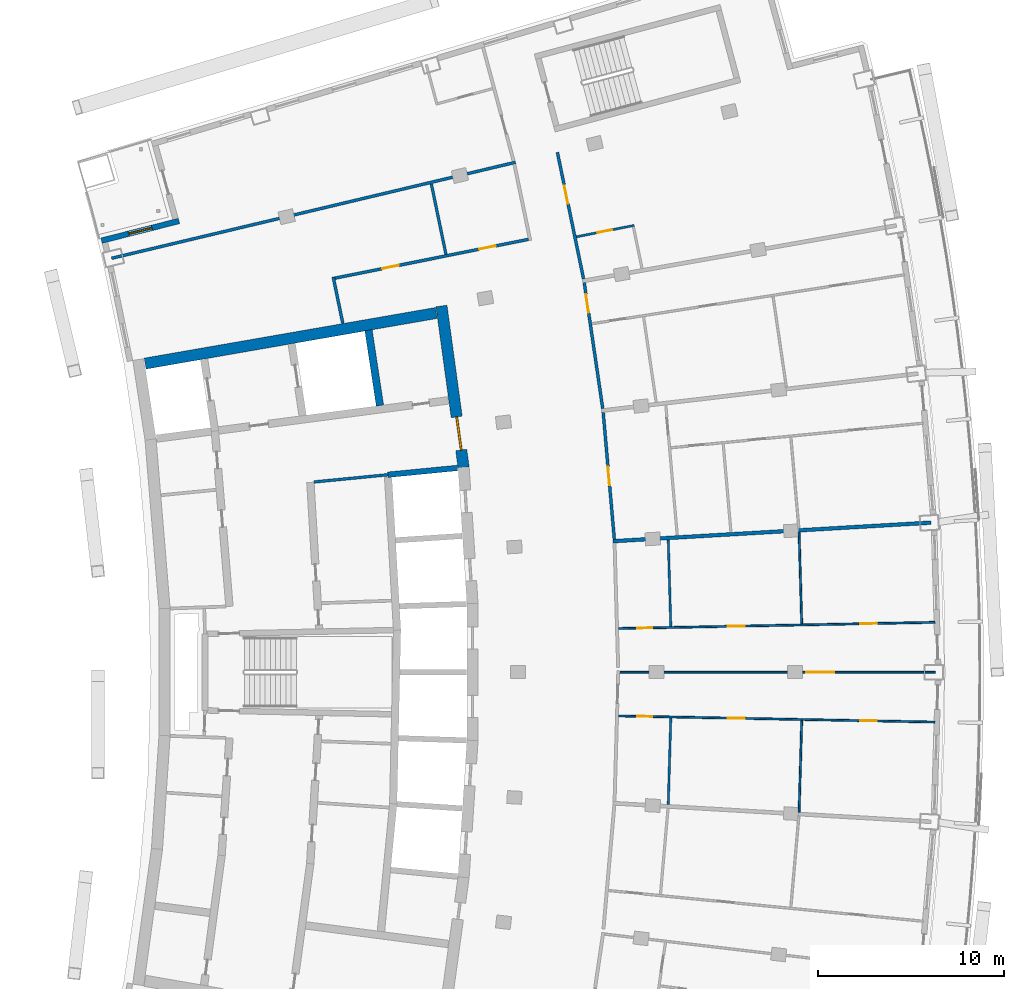
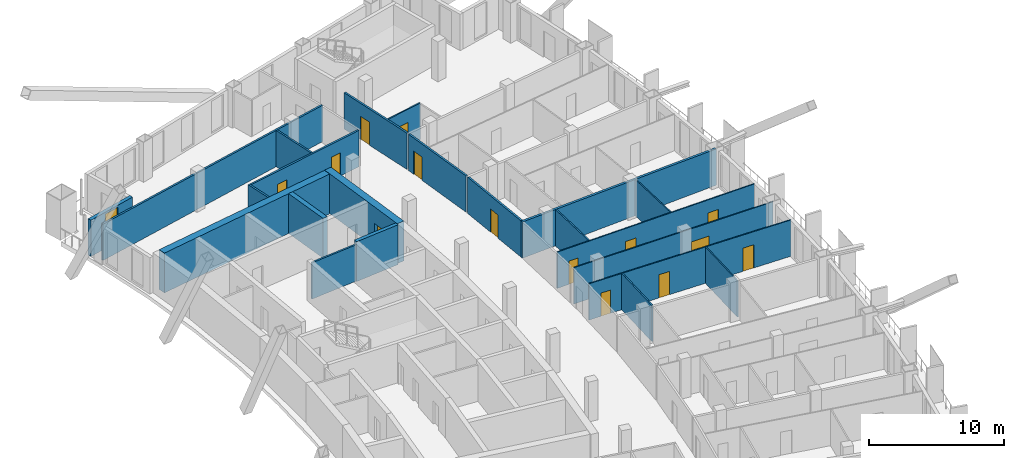
# One storey, part 13 of 19: 22 walls, 14 doors, 1 window, 15 openings.
"""IFC4 building model written with IfcOpenShell, lengths in metres."""

from ifc_helpers import new_model, si_unit, direction, frame, frame_2d, origin, place, context, subcontext, project, spatial, rectangle, extrude, material, layer, layer_set, type_object, element, fill, save


model = new_model("IFC4")

# Units and contexts
model_context = context("Model", 3, precision=1e-05, world=origin(), true_north=direction((0.0, 1.0)))
body_context = subcontext(model_context, "Body", "Model", "MODEL_VIEW")
ifc_project = project(units=[si_unit("LENGTHUNIT", "METRE"), si_unit("AREAUNIT", "SQUARE_METRE"), si_unit("VOLUMEUNIT", "CUBIC_METRE"), si_unit("PLANEANGLEUNIT", "RADIAN"), si_unit("MASSUNIT", "GRAM", prefix="KILO")], contexts=[model_context])

# Site, building, storey
site_placement = place(None, origin())
site = spatial("IfcSite", under=ifc_project, at=site_placement, CompositionType="ELEMENT")
building_placement = place(site_placement, origin())
building = spatial("IfcBuilding", under=site, at=building_placement, Name="Alderwake Tower", CompositionType="ELEMENT")
storey_placement = place(building_placement, frame((0.0, 0.0, 200.0)))
storey = spatial("IfcBuildingStorey", under=building, at=storey_placement, Name="L49", CompositionType="ELEMENT", Elevation=200.0)

# Wall
ifc_material_1 = material(Name="Gypsum shaft wall system, rated")
ifc_layer_1 = layer(ifc_material_1, 0.14990234375)
ifc_layer_set_1 = layer_set([ifc_layer_1], Name="Core room partition 150")
wall_type_1 = type_object("IfcWallType", Name="Core room partition 150", PredefinedType="PARTITIONING", material=ifc_layer_set_1)
wall_1_placement = place(storey_placement, frame((24.799560546875, 71.2548828125, 0.0), z_axis=(0.0, 0.0, 1.0), x_axis=(0.995250000627, 0.097352125046, 0.0)))
element("IfcWall", 1, at=wall_1_placement, inside=storey, type_object=wall_type_1, Name="CW/L49/PR+102_+86", PredefinedType="PARTITIONING", context=body_context, shape_type="SweptSolid", body=[
    extrude(rectangle(XDim=4.0, YDim=0.14990234375, at=frame_2d((2.0, 0.0))), origin(), (0.0, 0.0, 1.0), 3.280029296875),
])

# Wall, opening, door
ifc_material_2 = material(Name="Concrete C70/85", Category="concrete")
ifc_layer_2 = layer(ifc_material_2, 0.60009765625)
ifc_layer_set_2 = layer_set([ifc_layer_2], Name="Core wall outer 600 C70-85")
wall_type_2 = type_object("IfcWallType", Name="Core wall outer 600 C70-85", PredefinedType="SHEAR", material=ifc_layer_set_2)
wall_2_placement = place(storey_placement, frame((31.66796875, 80.743896484375, 0.0), z_axis=(0.0, 0.0, 1.0), x_axis=(0.135856583698, -0.990728514108, 0.0)))
wall_2 = element("IfcWall", 2, at=wall_2_placement, inside=storey, type_object=wall_type_2, Name="Core wall CW.014", PredefinedType="SHEAR", context=body_context, shape_type="SweptSolid", body=[
    extrude(rectangle(XDim=8.79296875, YDim=0.60009765625, at=frame_2d((4.396484375, 0.0))), origin(), (0.0, 0.0, 1.0), 3.60009765625),
])
opening_1_placement = place(wall_2_placement, frame((6.038818359375, 0.0, 0.0)))
opening_1 = element("IfcOpeningElement", 3, at=opening_1_placement, cuts=wall_2, Name="Opening C001", PredefinedType="OPENING", context=body_context, shape_type="SweptSolid", body=[
    extrude(rectangle(XDim=1.800048828125, YDim=2.10009765625, at=frame_2d((0.89990234375, 1.050048828125))), frame((0.0, 0.31005859375, 0.0), z_axis=(0.0, -1.0, 0.0), x_axis=(1.0, 0.0, 0.0)), (0.0, 0.0, 1.0), 0.6201171875),
])
ifc_material_3 = material(Name="Steel-framed fire door leaves", Category="steel")
door_type_1 = type_object("IfcDoorType", Name="Core double door 1800 fire-rated", OperationType="DOUBLE_DOOR_SINGLE_SWING", PredefinedType="DOOR", material=ifc_material_3)
door_1_placement = place(opening_1_placement, origin())
door_1 = element("IfcDoor", 4, at=door_1_placement, inside=storey, type_object=door_type_1, Name="Lobby double door", OperationType="DOUBLE_DOOR_SINGLE_SWING", OverallHeight=2.10009765625, OverallWidth=1.800048828125, PredefinedType="DOOR", context=body_context, shape_type="SweptSolid", body=[
    extrude(rectangle(XDim=1.800048828125, YDim=2.10009765625, at=frame_2d((0.89990234375, 1.050048828125))), frame((0.0, 0.050048828125, 0.0), z_axis=(0.0, -1.0, 0.0), x_axis=(1.0, 0.0, 0.0)), (0.0, 0.0, 1.0), 0.10009765625),
])
fill(opening_1, door_1)

# Walls
wall_3_placement = place(storey_placement, frame((15.68896484375, 77.6357421875, 0.0), z_axis=(0.0, 0.0, 1.0), x_axis=(0.985223223422, 0.17127521721, 0.0)))
element("IfcWall", 5, at=wall_3_placement, inside=storey, type_object=wall_type_2, Name="Core wall CW.055", PredefinedType="SHEAR", context=body_context, shape_type="SweptSolid", body=[
    extrude(rectangle(XDim=15.933349609375, YDim=0.60009765625, at=frame_2d((7.966796875, 0.0))), origin(), (0.0, 0.0, 1.0), 3.60009765625),
])
ifc_material_4 = material(Name="Concrete C70/85", Category="concrete")
ifc_layer_3 = layer(ifc_material_4, 0.300048828125)
ifc_layer_set_3 = layer_set([ifc_layer_3], Name="Core wall shaft 300 C70-85")
wall_type_3 = type_object("IfcWallType", Name="Core wall shaft 300 C70-85", PredefinedType="SHEAR", material=ifc_layer_set_3)
wall_4_placement = place(storey_placement, frame((28.780517578125, 71.644287109375, 0.0), z_axis=(0.0, 0.0, 1.0), x_axis=(0.995245280185, 0.097400370992, 0.0)))
element("IfcWall", 6, at=wall_4_placement, inside=storey, type_object=wall_type_3, Name="Core wall CW.049", PredefinedType="SHEAR", context=body_context, shape_type="SweptSolid", body=[
    extrude(rectangle(XDim=3.769775390625, YDim=0.300048828125, at=frame_2d((1.884765625, 0.0))), origin(), (0.0, 0.0, 1.0), 3.60009765625),
])
ifc_material_5 = material(Name="Concrete C70/85", Category="concrete")
ifc_layer_4 = layer(ifc_material_5, 0.39990234375)
ifc_layer_set_4 = layer_set([ifc_layer_4], Name="Core wall spine 400 C70-85")
wall_type_4 = type_object("IfcWallType", Name="Core wall spine 400 C70-85", PredefinedType="SHEAR", material=ifc_layer_set_4)
wall_5_placement = place(storey_placement, frame((28.350830078125, 75.373291015625, 0.0), z_axis=(0.0, 0.0, 1.0), x_axis=(-0.150143035921, 0.988664285167, 0.0)))
element("IfcWall", 7, at=wall_5_placement, inside=storey, type_object=wall_type_4, Name="Core wall CW.001", PredefinedType="SHEAR", context=body_context, shape_type="SweptSolid", body=[
    extrude(rectangle(XDim=4.1123046875, YDim=0.39990234375, at=frame_2d((2.05615234375, 0.0))), origin(), (0.0, 0.0, 1.0), 3.60009765625),
])
ifc_material_6 = material(Name="Gypsum board on metal studs, rated")
ifc_layer_5 = layer(ifc_material_6, 0.159912109375)
ifc_layer_set_5 = layer_set([ifc_layer_5], Name="Corridor wall 160")
wall_type_5 = type_object("IfcWallType", Name="Corridor wall 160", PredefinedType="PARTITIONING", material=ifc_layer_set_5)
wall_6_placement = place(storey_placement, frame((13.884033203125, 83.31298828125, 0.0), z_axis=(0.0, 0.0, 1.0), x_axis=(0.972893462073, 0.231253781493, 0.0)))
element("IfcWall", 8, at=wall_6_placement, inside=storey, type_object=wall_type_5, Name="WL/L49/W09", PredefinedType="PARTITIONING", context=body_context, shape_type="SweptSolid", body=[
    extrude(rectangle(XDim=22.38037109375, YDim=0.159912109375, at=frame_2d((11.190185546875, 0.0))), origin(), (0.0, 0.0, 1.0), 3.280029296875),
])
wall_7_placement = place(storey_placement, frame((25.831787109375, 82.305419921875, 0.0), z_axis=(0.0, 0.0, 1.0), x_axis=(0.202450797205, -0.979292435747, 0.0)))
element("IfcWall", 9, at=wall_7_placement, inside=storey, type_object=wall_type_5, Name="WL/L49/W12", PredefinedType="PARTITIONING", context=body_context, shape_type="SweptSolid", body=[
    extrude(rectangle(XDim=2.555419921875, YDim=0.159912109375, at=frame_2d((1.27783203125, 0.0))), origin(), (0.0, 0.0, 1.0), 3.280029296875),
])

# Wall, openings, doors
wall_8_placement = place(storey_placement, frame((25.926513671875, 82.24267578125, 0.0), z_axis=(0.0, 0.0, 1.0), x_axis=(0.98046310274, 0.196703086316, 0.0)))
wall_8 = element("IfcWall", 10, at=wall_8_placement, inside=storey, type_object=wall_type_5, Name="WL/L49/W19", PredefinedType="PARTITIONING", context=body_context, shape_type="SweptSolid", body=[
    extrude(rectangle(XDim=10.637939453125, YDim=0.159912109375, at=frame_2d((5.31884765625, 0.0))), origin(), (0.0, 0.0, 1.0), 3.280029296875),
])
opening_2_placement = place(wall_8_placement, frame((2.609130859375, 0.0, 0.0)))
opening_2 = element("IfcOpeningElement", 11, at=opening_2_placement, cuts=wall_8, Name="Opening R14-SBN1", PredefinedType="OPENING", context=body_context, shape_type="SweptSolid", body=[
    extrude(rectangle(XDim=0.89990234375, YDim=2.10009765625, at=frame_2d((0.449951171875, 1.050048828125))), frame((0.0, 0.08984375, 0.0), z_axis=(0.0, -1.0, 0.0), x_axis=(1.0, 0.0, 0.0)), (0.0, 0.0, 1.0), 0.179931640625),
])
opening_3_placement = place(wall_8_placement, frame((7.927978515625, 0.0, 0.0)))
opening_3 = element("IfcOpeningElement", 12, at=opening_3_placement, cuts=wall_8, Name="Opening R14-SBN2", PredefinedType="OPENING", context=body_context, shape_type="SweptSolid", body=[
    extrude(rectangle(XDim=0.89990234375, YDim=2.10009765625, at=frame_2d((0.449951171875, 1.050048828125))), frame((0.0, 0.08984375, 0.0), z_axis=(0.0, -1.0, 0.0), x_axis=(1.0, 0.0, 0.0)), (0.0, 0.0, 1.0), 0.179931640625),
])
ifc_material_7 = material(Name="Painted timber leaf", Category="wood")
door_type_2 = type_object("IfcDoorType", Name="Room door 900", OperationType="SINGLE_SWING_LEFT", PredefinedType="DOOR", material=ifc_material_7)
door_2_placement = place(opening_2_placement, origin())
door_2 = element("IfcDoor", 13, at=door_2_placement, inside=storey, type_object=door_type_2, Name="DR/L49/SBN1", OperationType="SINGLE_SWING_LEFT", OverallHeight=2.10009765625, OverallWidth=0.89990234375, PredefinedType="DOOR", context=body_context, shape_type="SweptSolid", body=[
    extrude(rectangle(XDim=0.89990234375, YDim=2.10009765625, at=frame_2d((0.449951171875, 1.050048828125))), frame((0.0, 0.02490234375, 0.0), z_axis=(0.0, -1.0, 0.0), x_axis=(1.0, 0.0, 0.0)), (0.0, 0.0, 1.0), 0.050048828125),
])
fill(opening_2, door_2)
door_3_placement = place(opening_3_placement, origin())
door_3 = element("IfcDoor", 14, at=door_3_placement, inside=storey, type_object=door_type_2, Name="DR/L49/SBN2", OperationType="SINGLE_SWING_LEFT", OverallHeight=2.10009765625, OverallWidth=0.89990234375, PredefinedType="DOOR", context=body_context, shape_type="SweptSolid", body=[
    extrude(rectangle(XDim=0.89990234375, YDim=2.10009765625, at=frame_2d((0.449951171875, 1.050048828125))), frame((0.0, 0.02490234375, 0.0), z_axis=(0.0, -1.0, 0.0), x_axis=(1.0, 0.0, 0.0)), (0.0, 0.0, 1.0), 0.050048828125),
])
fill(opening_3, door_3)

# Wall, opening, door
wall_9_placement = place(storey_placement, frame((37.9169921875, 89.02490234375, 0.0), z_axis=(0.0, 0.0, 1.0), x_axis=(0.202416809878, -0.97929946139, 0.0)))
wall_9 = element("IfcWall", 15, at=wall_9_placement, inside=storey, type_object=wall_type_5, Name="WL/L49/W22", PredefinedType="PARTITIONING", context=body_context, shape_type="SweptSolid", body=[
    extrude(rectangle(XDim=6.97021484375, YDim=0.159912109375, at=frame_2d((3.485107421875, 0.0))), origin(), (0.0, 0.0, 1.0), 3.280029296875),
])
opening_4_placement = place(wall_9_placement, frame((1.83349609375, 0.0, 0.0)))
opening_4 = element("IfcOpeningElement", 16, at=opening_4_placement, cuts=wall_9, Name="Opening R14-U08.1", PredefinedType="OPENING", context=body_context, shape_type="SweptSolid", body=[
    extrude(rectangle(XDim=1.0, YDim=2.10009765625, at=frame_2d((0.5, 1.050048828125))), frame((0.0, 0.08984375, 0.0), z_axis=(0.0, -1.0, 0.0), x_axis=(1.0, 0.0, 0.0)), (0.0, 0.0, 1.0), 0.179931640625),
])
ifc_material_8 = material(Name="Solid timber leaf in steel frame", Category="steel")
door_type_3 = type_object("IfcDoorType", Name="Flat entrance door 1000 fire-rated", OperationType="SINGLE_SWING_LEFT", PredefinedType="DOOR", material=ifc_material_8)
door_4_placement = place(opening_4_placement, origin())
door_4 = element("IfcDoor", 17, at=door_4_placement, inside=storey, type_object=door_type_3, Name="DR/L49/U08.1", OperationType="SINGLE_SWING_LEFT", OverallHeight=2.10009765625, OverallWidth=1.0, PredefinedType="DOOR", context=body_context, shape_type="SweptSolid", body=[
    extrude(rectangle(XDim=1.0, YDim=2.10009765625, at=frame_2d((0.5, 1.050048828125))), frame((0.0, 0.02490234375, 0.0), z_axis=(0.0, -1.0, 0.0), x_axis=(1.0, 0.0, 0.0)), (0.0, 0.0, 1.0), 0.050048828125),
])
fill(opening_4, door_4)

wall_10_placement = place(storey_placement, frame((39.362548828125, 82.001953125, 0.0), z_axis=(0.0, 0.0, 1.0), x_axis=(0.145565626222, -0.98934859805, 0.0)))
wall_10 = element("IfcWall", 18, at=wall_10_placement, inside=storey, type_object=wall_type_5, Name="WL/L49/W23", PredefinedType="PARTITIONING", context=body_context, shape_type="SweptSolid", body=[
    extrude(rectangle(XDim=6.8681640625, YDim=0.159912109375, at=frame_2d((3.43408203125, 0.0))), origin(), (0.0, 0.0, 1.0), 3.280029296875),
])
opening_5_placement = place(wall_10_placement, frame((0.627685546875, 0.0, 0.0)))
opening_5 = element("IfcOpeningElement", 19, at=opening_5_placement, cuts=wall_10, Name="Opening R14-U07.2", PredefinedType="OPENING", context=body_context, shape_type="SweptSolid", body=[
    extrude(rectangle(XDim=1.0, YDim=2.10009765625, at=frame_2d((0.5, 1.050048828125))), frame((0.0, 0.08984375, 0.0), z_axis=(0.0, -1.0, 0.0), x_axis=(1.0, 0.0, 0.0)), (0.0, 0.0, 1.0), 0.179931640625),
])
door_5_placement = place(opening_5_placement, origin())
door_5 = element("IfcDoor", 20, at=door_5_placement, inside=storey, type_object=door_type_3, Name="DR/L49/U07.2", OperationType="SINGLE_SWING_LEFT", OverallHeight=2.10009765625, OverallWidth=1.0, PredefinedType="DOOR", context=body_context, shape_type="SweptSolid", body=[
    extrude(rectangle(XDim=1.0, YDim=2.10009765625, at=frame_2d((0.5, 1.050048828125))), frame((0.0, 0.02490234375, 0.0), z_axis=(0.0, -1.0, 0.0), x_axis=(1.0, 0.0, 0.0)), (0.0, 0.0, 1.0), 0.050048828125),
])
fill(opening_5, door_5)

wall_11_placement = place(storey_placement, frame((40.3857421875, 75.00830078125, 0.0), z_axis=(0.0, 0.0, 1.0), x_axis=(0.087448731147, -0.996169021512, 0.0)))
wall_11 = element("IfcWall", 21, at=wall_11_placement, inside=storey, type_object=wall_type_5, Name="WL/L49/W26", PredefinedType="PARTITIONING", context=body_context, shape_type="SweptSolid", body=[
    extrude(rectangle(XDim=6.867919921875, YDim=0.159912109375, at=frame_2d((3.43408203125, 0.0))), origin(), (0.0, 0.0, 1.0), 3.280029296875),
])
opening_6_placement = place(wall_11_placement, frame((2.93408203125, 0.0, 0.0)))
opening_6 = element("IfcOpeningElement", 22, at=opening_6_placement, cuts=wall_11, Name="Opening R14-U06.2", PredefinedType="OPENING", context=body_context, shape_type="SweptSolid", body=[
    extrude(rectangle(XDim=1.0, YDim=2.10009765625, at=frame_2d((0.5, 1.050048828125))), frame((0.0, 0.08984375, 0.0), z_axis=(0.0, -1.0, 0.0), x_axis=(1.0, 0.0, 0.0)), (0.0, 0.0, 1.0), 0.179931640625),
])
door_6_placement = place(opening_6_placement, origin())
door_6 = element("IfcDoor", 23, at=door_6_placement, inside=storey, type_object=door_type_3, Name="DR/L49/U06.2", OperationType="SINGLE_SWING_LEFT", OverallHeight=2.10009765625, OverallWidth=1.0, PredefinedType="DOOR", context=body_context, shape_type="SweptSolid", body=[
    extrude(rectangle(XDim=1.0, YDim=2.10009765625, at=frame_2d((0.5, 1.050048828125))), frame((0.0, 0.02490234375, 0.0), z_axis=(0.0, -1.0, 0.0), x_axis=(1.0, 0.0, 0.0)), (0.0, 0.0, 1.0), 0.050048828125),
])
fill(opening_6, door_6)

# Wall, opening, window
ifc_material_9 = material(Name="Bronze metal cladding on lightweight framing")
ifc_layer_6 = layer(ifc_material_9, 0.300048828125)
ifc_layer_set_6 = layer_set([ifc_layer_6], Name="External wall EW2 bronze metal cladding")
wall_type_6 = type_object("IfcWallType", Name="External wall EW2 bronze metal cladding", PredefinedType="SOLIDWALL", material=ifc_layer_set_6)
wall_12_placement = place(storey_placement, frame((17.51611328125, 85.32275390625, 0.0), z_axis=(0.0, 0.0, 1.0), x_axis=(-0.969417740682, -0.245416470617, 0.0)))
wall_12 = element("IfcWall", 24, at=wall_12_placement, inside=storey, type_object=wall_type_6, Name="External wall 29", PredefinedType="SOLIDWALL", context=body_context, shape_type="SweptSolid", body=[
    extrude(rectangle(XDim=4.305419921875, YDim=0.300048828125, at=frame_2d((2.15283203125, 0.0))), origin(), (0.0, 0.0, 1.0), 3.280029296875),
])
opening_7_placement = place(wall_12_placement, frame((1.502685546875, 0.0, 0.199951171875)))
opening_7 = element("IfcOpeningElement", 25, at=opening_7_placement, cuts=wall_12, Name="Opening W1", PredefinedType="OPENING", context=body_context, shape_type="SweptSolid", body=[
    extrude(rectangle(XDim=1.300048828125, YDim=2.89990234375, at=frame_2d((0.64990234375, 1.449951171875))), frame((0.0, 0.159912109375, 0.0), z_axis=(0.0, -1.0, 0.0), x_axis=(1.0, 0.0, 0.0)), (0.0, 0.0, 1.0), 0.320068359375),
])
ifc_material_10 = material(Name="Bronze tinted glass in aluminium frame", Category="aluminium")
window_type = type_object("IfcWindowType", Name="Window W1 tall fixed and vent", PartitioningType="DOUBLE_PANEL_VERTICAL", PredefinedType="WINDOW", material=ifc_material_10)
window_placement = place(opening_7_placement, origin())
window = element("IfcWindow", 26, at=window_placement, inside=storey, type_object=window_type, Name="Window W1 tall fixed and vent", OverallHeight=2.89990234375, OverallWidth=1.300048828125, PartitioningType="DOUBLE_PANEL_VERTICAL", PredefinedType="WINDOW", context=body_context, shape_type="SweptSolid", body=[
    extrude(rectangle(XDim=1.300048828125, YDim=2.89990234375, at=frame_2d((0.64990234375, 1.449951171875))), frame((0.0, 0.030029296875, 0.0), z_axis=(0.0, -1.0, 0.0), x_axis=(1.0, 0.0, 0.0)), (0.0, 0.0, 1.0), 0.06005859375),
])
fill(opening_7, window)

# Walls
ifc_material_11 = material(Name="Dense block masonry wall", Category="masonry")
ifc_layer_7 = layer(ifc_material_11, 0.199951171875)
ifc_layer_set_7 = layer_set([ifc_layer_7], Name="Party wall 200")
wall_type_7 = type_object("IfcWallType", Name="Party wall 200", PredefinedType="SOLIDWALL", material=ifc_layer_set_7)
wall_13_placement = place(storey_placement, frame((58.06494140625, 69.06298828125, 0.0), z_axis=(0.0, 0.0, 1.0), x_axis=(-0.998301852926, -0.058252986578, 0.0)))
element("IfcWall", 27, at=wall_13_placement, inside=storey, type_object=wall_type_7, Name="WL/L49/W05", PredefinedType="SOLIDWALL", context=body_context, shape_type="SweptSolid", body=[
    extrude(rectangle(XDim=17.178955078125, YDim=0.199951171875, at=frame_2d((8.58935546875, 0.0))), origin(), (0.0, 0.0, 1.0), 3.280029296875),
])
ifc_material_12 = material(Name="Gypsum shaft wall system, rated")
ifc_layer_8 = layer(ifc_material_12, 0.14990234375)
ifc_layer_set_8 = layer_set([ifc_layer_8], Name="Riser and shaft wall 150")
wall_type_8 = type_object("IfcWallType", Name="Riser and shaft wall 150", PredefinedType="PARTITIONING", material=ifc_layer_set_8)
wall_14_placement = place(storey_placement, frame((31.90966796875, 83.523193359375, 0.0), z_axis=(0.0, 0.0, 1.0), x_axis=(-0.203193719272, 0.979138556308, 0.0)))
element("IfcWall", 28, at=wall_14_placement, inside=storey, type_object=wall_type_8, Name="WL/L49/W06", PredefinedType="PARTITIONING", context=body_context, shape_type="SweptSolid", body=[
    extrude(rectangle(XDim=3.884521484375, YDim=0.14990234375, at=frame_2d((1.9423828125, 0.0))), origin(), (0.0, 0.0, 1.0), 3.280029296875),
])

# Wall, openings, doors
ifc_material_13 = material(Name="Gypsum board on metal studs")
ifc_layer_9 = layer(ifc_material_13, 0.10009765625)
ifc_layer_set_9 = layer_set([ifc_layer_9], Name="Unit partition 100")
wall_type_9 = type_object("IfcWallType", Name="Unit partition 100", PredefinedType="PARTITIONING", material=ifc_layer_set_9)
wall_15_placement = place(storey_placement, frame((58.27197265625, 58.31103515625, 0.0), z_axis=(0.0, 0.0, 1.0), x_axis=(-0.999811536807, 0.019413677352, 0.0)))
wall_15 = element("IfcWall", 29, at=wall_15_placement, inside=storey, type_object=wall_type_9, Name="WL/L49/W47", PredefinedType="PARTITIONING", context=body_context, shape_type="SweptSolid", body=[
    extrude(rectangle(XDim=17.065185546875, YDim=0.10009765625, at=frame_2d((8.53271484375, 0.0))), origin(), (0.0, 0.0, 1.0), 3.280029296875),
])
opening_8_placement = place(wall_15_placement, frame((10.263671875, 0.0, 0.0)))
opening_8 = element("IfcOpeningElement", 30, at=opening_8_placement, cuts=wall_15, Name="Opening R14-U05.1", PredefinedType="OPENING", context=body_context, shape_type="SweptSolid", body=[
    extrude(rectangle(XDim=0.89990234375, YDim=2.10009765625, at=frame_2d((0.449951171875, 1.050048828125))), frame((0.0, 0.06005859375, 0.0), z_axis=(0.0, -1.0, 0.0), x_axis=(1.0, 0.0, 0.0)), (0.0, 0.0, 1.0), 0.1201171875),
])
opening_9_placement = place(wall_15_placement, frame((15.255126953125, 0.0, 0.0)))
opening_9 = element("IfcOpeningElement", 31, at=opening_9_placement, cuts=wall_15, Name="Opening R14-U05.3", PredefinedType="OPENING", context=body_context, shape_type="SweptSolid", body=[
    extrude(rectangle(XDim=0.800048828125, YDim=2.10009765625, at=frame_2d((0.39990234375, 1.050048828125))), frame((0.0, 0.06005859375, 0.0), z_axis=(0.0, -1.0, 0.0), x_axis=(1.0, 0.0, 0.0)), (0.0, 0.0, 1.0), 0.1201171875),
])
opening_10_placement = place(wall_15_placement, frame((3.141845703125, 0.0, 0.0)))
opening_10 = element("IfcOpeningElement", 32, at=opening_10_placement, cuts=wall_15, Name="Opening R14-U05.4", PredefinedType="OPENING", context=body_context, shape_type="SweptSolid", body=[
    extrude(rectangle(XDim=0.89990234375, YDim=2.10009765625, at=frame_2d((0.449951171875, 1.050048828125))), frame((0.0, 0.06005859375, 0.0), z_axis=(0.0, -1.0, 0.0), x_axis=(1.0, 0.0, 0.0)), (0.0, 0.0, 1.0), 0.1201171875),
])
ifc_material_14 = material(Name="Painted timber leaf", Category="wood")
door_type_4 = type_object("IfcDoorType", Name="Bathroom door 800", OperationType="SINGLE_SWING_LEFT", PredefinedType="DOOR", material=ifc_material_14)
door_7_placement = place(opening_9_placement, origin())
door_7 = element("IfcDoor", 33, at=door_7_placement, inside=storey, type_object=door_type_4, Name="DR/L49/U05.3", OperationType="SINGLE_SWING_LEFT", OverallHeight=2.10009765625, OverallWidth=0.800048828125, PredefinedType="DOOR", context=body_context, shape_type="SweptSolid", body=[
    extrude(rectangle(XDim=0.800048828125, YDim=2.10009765625, at=frame_2d((0.39990234375, 1.050048828125))), frame((0.0, 0.02490234375, 0.0), z_axis=(0.0, -1.0, 0.0), x_axis=(1.0, 0.0, 0.0)), (0.0, 0.0, 1.0), 0.050048828125),
])
fill(opening_9, door_7)
door_8_placement = place(opening_8_placement, origin())
door_8 = element("IfcDoor", 34, at=door_8_placement, inside=storey, type_object=door_type_2, Name="DR/L49/U05.1", OperationType="SINGLE_SWING_LEFT", OverallHeight=2.10009765625, OverallWidth=0.89990234375, PredefinedType="DOOR", context=body_context, shape_type="SweptSolid", body=[
    extrude(rectangle(XDim=0.89990234375, YDim=2.10009765625, at=frame_2d((0.449951171875, 1.050048828125))), frame((0.0, 0.02490234375, 0.0), z_axis=(0.0, -1.0, 0.0), x_axis=(1.0, 0.0, 0.0)), (0.0, 0.0, 1.0), 0.050048828125),
])
fill(opening_8, door_8)
door_9_placement = place(opening_10_placement, origin())
door_9 = element("IfcDoor", 35, at=door_9_placement, inside=storey, type_object=door_type_2, Name="DR/L49/U05.4", OperationType="SINGLE_SWING_LEFT", OverallHeight=2.10009765625, OverallWidth=0.89990234375, PredefinedType="DOOR", context=body_context, shape_type="SweptSolid", body=[
    extrude(rectangle(XDim=0.89990234375, YDim=2.10009765625, at=frame_2d((0.449951171875, 1.050048828125))), frame((0.0, 0.02490234375, 0.0), z_axis=(0.0, -1.0, 0.0), x_axis=(1.0, 0.0, 0.0)), (0.0, 0.0, 1.0), 0.050048828125),
])
fill(opening_10, door_9)

wall_16_placement = place(storey_placement, frame((41.2099609375, 63.355712890625, 0.0), z_axis=(0.0, 0.0, 1.0), x_axis=(0.999808189858, 0.019585287639, 0.0)))
wall_16 = element("IfcWall", 36, at=wall_16_placement, inside=storey, type_object=wall_type_9, Name="WL/L49/W48", PredefinedType="PARTITIONING", context=body_context, shape_type="SweptSolid", body=[
    extrude(rectangle(XDim=17.065185546875, YDim=0.10009765625, at=frame_2d((8.53271484375, 0.0))), origin(), (0.0, 0.0, 1.0), 3.280029296875),
])
opening_11_placement = place(wall_16_placement, frame((5.901611328125, 0.0, 0.0)))
opening_11 = element("IfcOpeningElement", 37, at=opening_11_placement, cuts=wall_16, Name="Opening R14-U05.5", PredefinedType="OPENING", context=body_context, shape_type="SweptSolid", body=[
    extrude(rectangle(XDim=0.89990234375, YDim=2.10009765625, at=frame_2d((0.449951171875, 1.050048828125))), frame((0.0, 0.06005859375, 0.0), z_axis=(0.0, -1.0, 0.0), x_axis=(1.0, 0.0, 0.0)), (0.0, 0.0, 1.0), 0.1201171875),
])
opening_12_placement = place(wall_16_placement, frame((1.010009765625, 0.0, 0.0)))
opening_12 = element("IfcOpeningElement", 38, at=opening_12_placement, cuts=wall_16, Name="Opening R14-U05.6", PredefinedType="OPENING", context=body_context, shape_type="SweptSolid", body=[
    extrude(rectangle(XDim=0.800048828125, YDim=2.10009765625, at=frame_2d((0.39990234375, 1.050048828125))), frame((0.0, 0.06005859375, 0.0), z_axis=(0.0, -1.0, 0.0), x_axis=(1.0, 0.0, 0.0)), (0.0, 0.0, 1.0), 0.1201171875),
])
opening_13_placement = place(wall_16_placement, frame((13.0234375, 0.0, 0.0)))
opening_13 = element("IfcOpeningElement", 39, at=opening_13_placement, cuts=wall_16, Name="Opening R14-U05.7", PredefinedType="OPENING", context=body_context, shape_type="SweptSolid", body=[
    extrude(rectangle(XDim=0.89990234375, YDim=2.10009765625, at=frame_2d((0.449951171875, 1.050048828125))), frame((0.0, 0.06005859375, 0.0), z_axis=(0.0, -1.0, 0.0), x_axis=(1.0, 0.0, 0.0)), (0.0, 0.0, 1.0), 0.1201171875),
])
door_10_placement = place(opening_12_placement, origin())
door_10 = element("IfcDoor", 40, at=door_10_placement, inside=storey, type_object=door_type_4, Name="DR/L49/U05.6", OperationType="SINGLE_SWING_LEFT", OverallHeight=2.10009765625, OverallWidth=0.800048828125, PredefinedType="DOOR", context=body_context, shape_type="SweptSolid", body=[
    extrude(rectangle(XDim=0.800048828125, YDim=2.10009765625, at=frame_2d((0.39990234375, 1.050048828125))), frame((0.0, 0.02490234375, 0.0), z_axis=(0.0, -1.0, 0.0), x_axis=(1.0, 0.0, 0.0)), (0.0, 0.0, 1.0), 0.050048828125),
])
fill(opening_12, door_10)
door_11_placement = place(opening_11_placement, origin())
door_11 = element("IfcDoor", 41, at=door_11_placement, inside=storey, type_object=door_type_2, Name="DR/L49/U05.5", OperationType="SINGLE_SWING_LEFT", OverallHeight=2.10009765625, OverallWidth=0.89990234375, PredefinedType="DOOR", context=body_context, shape_type="SweptSolid", body=[
    extrude(rectangle(XDim=0.89990234375, YDim=2.10009765625, at=frame_2d((0.449951171875, 1.050048828125))), frame((0.0, 0.02490234375, 0.0), z_axis=(0.0, -1.0, 0.0), x_axis=(1.0, 0.0, 0.0)), (0.0, 0.0, 1.0), 0.050048828125),
])
fill(opening_11, door_11)
door_12_placement = place(opening_13_placement, origin())
door_12 = element("IfcDoor", 42, at=door_12_placement, inside=storey, type_object=door_type_2, Name="DR/L49/U05.7", OperationType="SINGLE_SWING_LEFT", OverallHeight=2.10009765625, OverallWidth=0.89990234375, PredefinedType="DOOR", context=body_context, shape_type="SweptSolid", body=[
    extrude(rectangle(XDim=0.89990234375, YDim=2.10009765625, at=frame_2d((0.449951171875, 1.050048828125))), frame((0.0, 0.02490234375, 0.0), z_axis=(0.0, -1.0, 0.0), x_axis=(1.0, 0.0, 0.0)), (0.0, 0.0, 1.0), 0.050048828125),
])
fill(opening_13, door_12)

# Walls
wall_17_placement = place(storey_placement, frame((50.94580078125, 53.451904296875, 0.0), z_axis=(0.0, 0.0, 1.0), x_axis=(0.028839843482, 0.999584045205, 0.0)))
element("IfcWall", 43, at=wall_17_placement, inside=storey, type_object=wall_type_9, Name="WL/L49/W55", PredefinedType="PARTITIONING", context=body_context, shape_type="SweptSolid", body=[
    extrude(rectangle(XDim=4.9521484375, YDim=0.10009765625, at=frame_2d((2.47607421875, 0.0))), origin(), (0.0, 0.0, 1.0), 3.280029296875),
])
wall_18_placement = place(storey_placement, frame((51.088623046875, 63.59912109375, 0.0), z_axis=(0.0, 0.0, 1.0), x_axis=(-0.02885975374, 0.999583470559, 0.0)))
element("IfcWall", 44, at=wall_18_placement, inside=storey, type_object=wall_type_9, Name="WL/L49/W57", PredefinedType="PARTITIONING", context=body_context, shape_type="SweptSolid", body=[
    extrude(rectangle(XDim=4.94873046875, YDim=0.10009765625, at=frame_2d((2.474365234375, 0.0))), origin(), (0.0, 0.0, 1.0), 3.280029296875),
])

# Wall, opening, door
wall_19_placement = place(storey_placement, frame((41.279052734375, 60.9990234375, 0.0), z_axis=(0.0, 0.0, 1.0), x_axis=(1.0, 0.0, 0.0)))
wall_19 = element("IfcWall", 45, at=wall_19_placement, inside=storey, type_object=wall_type_9, Name="WL/L49/W58", PredefinedType="PARTITIONING", context=body_context, shape_type="SweptSolid", body=[
    extrude(rectangle(XDim=17.02001953125, YDim=0.10009765625, at=frame_2d((8.510009765625, 0.0))), origin(), (0.0, 0.0, 1.0), 3.280029296875),
])
opening_14_placement = place(wall_19_placement, frame((10.052001953125, 0.0, 0.0)))
opening_14 = element("IfcOpeningElement", 46, at=opening_14_placement, cuts=wall_19, Name="Opening R14-U05.8", PredefinedType="OPENING", context=body_context, shape_type="SweptSolid", body=[
    extrude(rectangle(XDim=1.5, YDim=2.10009765625, at=frame_2d((0.75, 1.050048828125))), frame((0.0, 0.06005859375, 0.0), z_axis=(0.0, -1.0, 0.0), x_axis=(1.0, 0.0, 0.0)), (0.0, 0.0, 1.0), 0.1201171875),
])
ifc_material_15 = material(Name="Painted timber leaves", Category="wood")
door_type_5 = type_object("IfcDoorType", Name="Double leaf door 1500", OperationType="DOUBLE_DOOR_SINGLE_SWING", PredefinedType="DOOR", material=ifc_material_15)
door_13_placement = place(opening_14_placement, origin())
door_13 = element("IfcDoor", 47, at=door_13_placement, inside=storey, type_object=door_type_5, Name="DR/L49/U05.8", OperationType="DOUBLE_DOOR_SINGLE_SWING", OverallHeight=2.10009765625, OverallWidth=1.5, PredefinedType="DOOR", context=body_context, shape_type="SweptSolid", body=[
    extrude(rectangle(XDim=1.5, YDim=2.10009765625, at=frame_2d((0.75, 1.050048828125))), frame((0.0, 0.02490234375, 0.0), z_axis=(0.0, -1.0, 0.0), x_axis=(1.0, 0.0, 0.0)), (0.0, 0.0, 1.0), 0.050048828125),
])
fill(opening_14, door_13)

ifc_material_16 = material(Name="Moisture resistant gypsum board on metal studs")
ifc_layer_10 = layer(ifc_material_16, 0.1201171875)
ifc_layer_set_10 = layer_set([ifc_layer_10], Name="Wet room partition 120")
wall_type_10 = type_object("IfcWallType", Name="Wet room partition 120", PredefinedType="PARTITIONING", material=ifc_layer_set_10)
wall_20_placement = place(storey_placement, frame((42.058837890625, 85.085693359375, 0.0), z_axis=(0.0, 0.0, 1.0), x_axis=(-0.981146728245, -0.193264320697, 0.0)))
wall_20 = element("IfcWall", 48, at=wall_20_placement, inside=storey, type_object=wall_type_10, Name="WL/L49/W33", PredefinedType="PARTITIONING", context=body_context, shape_type="SweptSolid", body=[
    extrude(rectangle(XDim=3.17822265625, YDim=0.1201171875, at=frame_2d((1.589111328125, 0.0))), origin(), (0.0, 0.0, 1.0), 3.280029296875),
])
opening_15_placement = place(wall_20_placement, frame((1.21923828125, 0.0, 0.0)))
opening_15 = element("IfcOpeningElement", 49, at=opening_15_placement, cuts=wall_20, Name="Opening R14-U08.2", PredefinedType="OPENING", context=body_context, shape_type="SweptSolid", body=[
    extrude(rectangle(XDim=0.800048828125, YDim=2.10009765625, at=frame_2d((0.39990234375, 1.050048828125))), frame((0.0, 0.070068359375, 0.0), z_axis=(0.0, -1.0, 0.0), x_axis=(1.0, 0.0, 0.0)), (0.0, 0.0, 1.0), 0.14013671875),
])
door_14_placement = place(opening_15_placement, origin())
door_14 = element("IfcDoor", 50, at=door_14_placement, inside=storey, type_object=door_type_4, Name="DR/L49/U08.2", OperationType="SINGLE_SWING_LEFT", OverallHeight=2.10009765625, OverallWidth=0.800048828125, PredefinedType="DOOR", context=body_context, shape_type="SweptSolid", body=[
    extrude(rectangle(XDim=0.800048828125, YDim=2.10009765625, at=frame_2d((0.39990234375, 1.050048828125))), frame((0.0, 0.02490234375, 0.0), z_axis=(0.0, -1.0, 0.0), x_axis=(1.0, 0.0, 0.0)), (0.0, 0.0, 1.0), 0.050048828125),
])
fill(opening_15, door_14)

# Walls
wall_21_placement = place(storey_placement, frame((43.892822265625, 53.865966796875, 0.0), z_axis=(0.0, 0.0, 1.0), x_axis=(0.029256273894, 0.999571943603, 0.0)))
element("IfcWall", 51, at=wall_21_placement, inside=storey, type_object=wall_type_10, Name="WL/L49/W39", PredefinedType="PARTITIONING", context=body_context, shape_type="SweptSolid", body=[
    extrude(rectangle(XDim=4.673095703125, YDim=0.1201171875, at=frame_2d((2.33642578125, 0.0))), origin(), (0.0, 0.0, 1.0), 3.280029296875),
])
wall_22_placement = place(storey_placement, frame((44.029541015625, 63.4609375, 0.0), z_axis=(0.0, 0.0, 1.0), x_axis=(-0.029237951874, 0.999572479698, 0.0)))
element("IfcWall", 52, at=wall_22_placement, inside=storey, type_object=wall_type_10, Name="WL/L49/W40", PredefinedType="PARTITIONING", context=body_context, shape_type="SweptSolid", body=[
    extrude(rectangle(XDim=4.676025390625, YDim=0.1201171875, at=frame_2d((2.337890625, 0.0))), origin(), (0.0, 0.0, 1.0), 3.280029296875),
])

save(model, "model.ifc")
